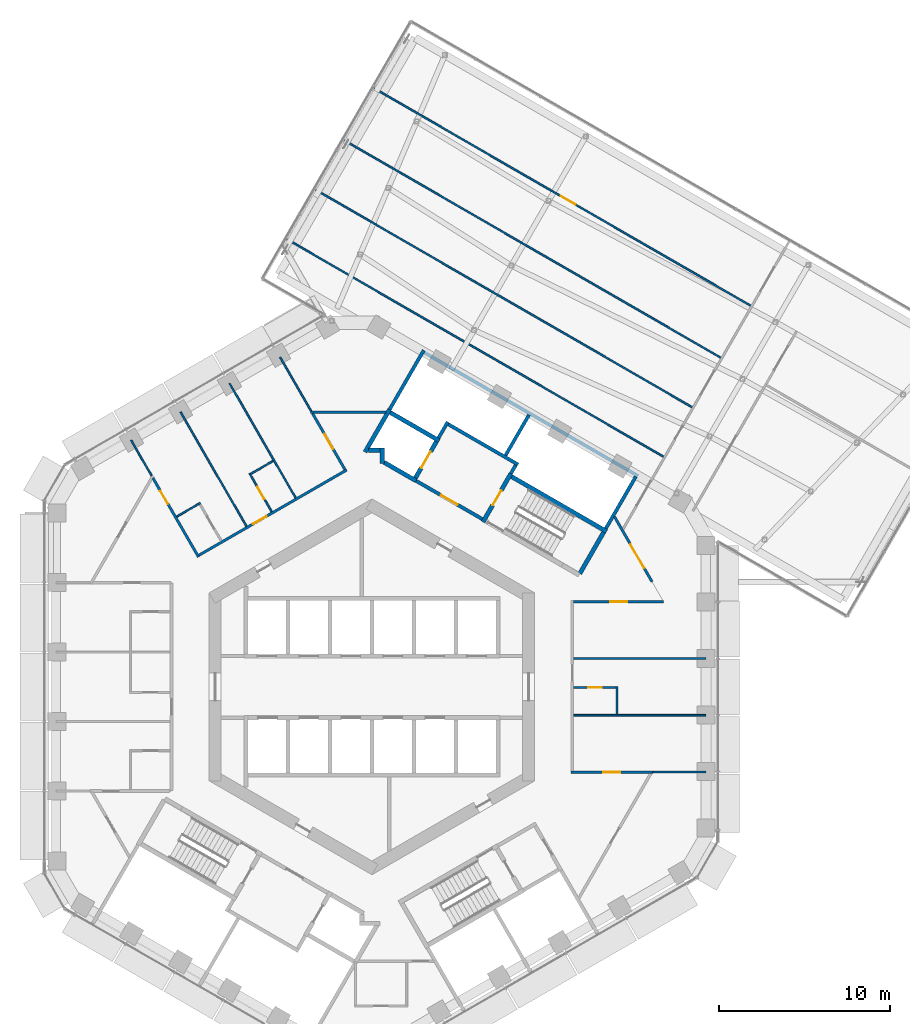
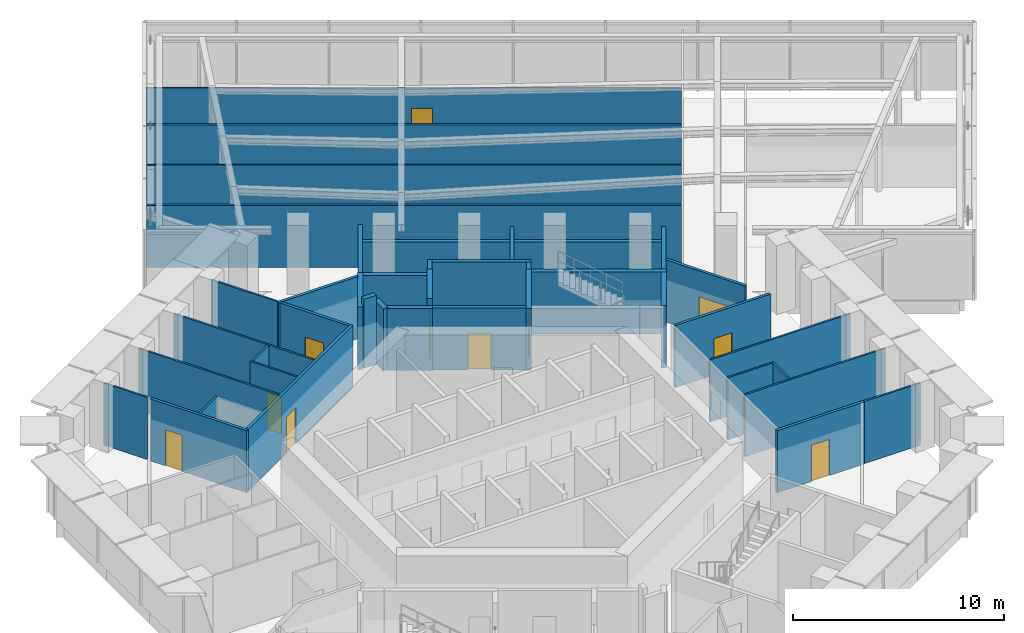
# One storey, part 21 of 28: 40 walls, 12 doors, 12 openings.
"""IFC4 building model written with IfcOpenShell, lengths in metres."""

from ifc_helpers import new_model, si_unit, direction, frame, frame_2d, origin, place, context, subcontext, project, spatial, rectangle, extrude, material, layer, layer_set, type_object, element, fill, save


model = new_model("IFC4")

# Units and contexts
model_context = context("Model", 3, precision=1e-05, world=origin(), true_north=direction((0.0, 1.0)))
body_context = subcontext(model_context, "Body", "Model", "MODEL_VIEW")
ifc_project = project(units=[si_unit("LENGTHUNIT", "METRE"), si_unit("AREAUNIT", "SQUARE_METRE"), si_unit("VOLUMEUNIT", "CUBIC_METRE"), si_unit("PLANEANGLEUNIT", "RADIAN"), si_unit("MASSUNIT", "GRAM", prefix="KILO")], contexts=[model_context])

# Site, building, storey
site_placement = place(None, origin())
site = spatial("IfcSite", under=ifc_project, at=site_placement, CompositionType="ELEMENT")
building_placement = place(site_placement, origin())
building = spatial("IfcBuilding", under=site, at=building_placement, Name="Ayvan Gate Tower", CompositionType="ELEMENT")
storey_placement = place(building_placement, frame((0.0, 0.0, 143.89990234375)))
storey = spatial("IfcBuildingStorey", under=building, at=storey_placement, Name="L38", CompositionType="ELEMENT", Elevation=143.89990234375)

# Wall, opening, door
ifc_material_1 = material(Name="Plasterboard on steel stud", Category="steel")
ifc_layer_1 = layer(ifc_material_1, 0.14990234375)
ifc_layer_set_1 = layer_set([ifc_layer_1], Name="Plasterboard on steel stud")
wall_type_1 = type_object("IfcWallType", Name="WT-CORR-150", PredefinedType="PARTITIONING", material=ifc_layer_set_1)
wall_1_placement = place(storey_placement, frame((-12.77880859375, 12.1826171875, 0.0), z_axis=(0.0, 0.0, 1.0), x_axis=(0.500007419992, -0.866021119808, 0.0)))
wall_1 = element("IfcWall", 1, at=wall_1_placement, inside=storey, type_object=wall_type_1, Name="IW-L38-012", PredefinedType="PARTITIONING", context=body_context, shape_type="SweptSolid", body=[
    extrude(rectangle(XDim=5.31494140625, YDim=0.14990234375, at=frame_2d((2.657470703125, 0.0))), origin(), (0.0, 0.0, 1.0), 3.60009765625),
])
opening_1_placement = place(wall_1_placement, frame((0.85498046875, 0.0, 0.0)))
opening_1 = element("IfcOpeningElement", 2, at=opening_1_placement, cuts=wall_1, Name="Opening L38-D41", PredefinedType="OPENING", context=body_context, shape_type="SweptSolid", body=[
    extrude(rectangle(XDim=0.89990234375, YDim=2.10009765625, at=frame_2d((0.449951171875, 1.050048828125))), frame((0.0, 0.0849609375, 0.0), z_axis=(0.0, -1.0, 0.0), x_axis=(1.0, 0.0, 0.0)), (0.0, 0.0, 1.0), 0.169921875),
])
ifc_material_2 = material(Name="Timber door leaf", Category="wood")
door_type_1 = type_object("IfcDoorType", Name="DT-900", OperationType="NOTDEFINED", PredefinedType="DOOR", material=ifc_material_2)
door_1_placement = place(opening_1_placement, origin())
door_1 = element("IfcDoor", 3, at=door_1_placement, inside=storey, type_object=door_type_1, Name="ID-L38-041", OperationType="SINGLE_SWING_LEFT", OverallHeight=2.10009765625, OverallWidth=0.89990234375, PredefinedType="DOOR", context=body_context, shape_type="SweptSolid", body=[
    extrude(rectangle(XDim=0.89990234375, YDim=2.10009765625, at=frame_2d((0.449951171875, 1.050048828125))), frame((0.0, 0.02490234375, 0.0), z_axis=(0.0, -1.0, 0.0), x_axis=(1.0, 0.0, 0.0)), (0.0, 0.0, 1.0), 0.050048828125),
])
fill(opening_1, door_1)

wall_2_placement = place(storey_placement, frame((-10.093994140625, 7.68212890625, 0.0), z_axis=(0.0, 0.0, 1.0), x_axis=(0.866024204941, 0.500002076452, 0.0)))
wall_2 = element("IfcWall", 4, at=wall_2_placement, inside=storey, type_object=wall_type_1, Name="IW-L38-020", PredefinedType="PARTITIONING", context=body_context, shape_type="SweptSolid", body=[
    extrude(rectangle(XDim=9.951171875, YDim=0.14990234375, at=frame_2d((4.9755859375, 0.0))), origin(), (0.0, 0.0, 1.0), 3.60009765625),
])
opening_2_placement = place(wall_2_placement, frame((3.64208984375, 0.0, 0.0)))
opening_2 = element("IfcOpeningElement", 5, at=opening_2_placement, cuts=wall_2, Name="Opening L38-D39", PredefinedType="OPENING", context=body_context, shape_type="SweptSolid", body=[
    extrude(rectangle(XDim=0.89990234375, YDim=2.10009765625, at=frame_2d((0.449951171875, 1.050048828125))), frame((0.0, 0.0849609375, 0.0), z_axis=(0.0, -1.0, 0.0), x_axis=(1.0, 0.0, 0.0)), (0.0, 0.0, 1.0), 0.169921875),
])
door_2_placement = place(opening_2_placement, origin())
door_2 = element("IfcDoor", 6, at=door_2_placement, inside=storey, type_object=door_type_1, Name="ID-L38-039", OperationType="SINGLE_SWING_LEFT", OverallHeight=2.10009765625, OverallWidth=0.89990234375, PredefinedType="DOOR", context=body_context, shape_type="SweptSolid", body=[
    extrude(rectangle(XDim=0.89990234375, YDim=2.10009765625, at=frame_2d((0.449951171875, 1.050048828125))), frame((0.0, 0.02490234375, 0.0), z_axis=(0.0, -1.0, 0.0), x_axis=(1.0, 0.0, 0.0)), (0.0, 0.0, 1.0), 0.050048828125),
])
fill(opening_2, door_2)

# Wall
wall_3_placement = place(storey_placement, frame((-3.580810546875, 16.023193359375, 0.0), z_axis=(0.0, 0.0, 1.0), x_axis=(1.0, 0.0, 0.0)))
element("IfcWall", 7, at=wall_3_placement, inside=storey, type_object=wall_type_1, Name="IW-L38-046", PredefinedType="PARTITIONING", context=body_context, shape_type="SweptSolid", body=[
    extrude(rectangle(XDim=4.392822265625, YDim=0.14990234375, at=frame_2d((2.1962890625, 0.0))), origin(), (0.0, 0.0, 1.0), 3.60009765625),
])

# Wall, opening, door
wall_4_placement = place(storey_placement, frame((-1.57861328125, 12.685302734375, 0.0), z_axis=(0.0, 0.0, 1.0), x_axis=(-0.500002049001, 0.86602422079, 0.0)))
wall_4 = element("IfcWall", 8, at=wall_4_placement, inside=storey, type_object=wall_type_1, Name="IW-L38-052", PredefinedType="PARTITIONING", context=body_context, shape_type="SweptSolid", body=[
    extrude(rectangle(XDim=3.779296875, YDim=0.14990234375, at=frame_2d((1.8896484375, 0.0))), origin(), (0.0, 0.0, 1.0), 3.60009765625),
])
opening_3_placement = place(wall_4_placement, frame((1.3896484375, 0.0, 0.0)))
opening_3 = element("IfcOpeningElement", 9, at=opening_3_placement, cuts=wall_4, Name="Opening L38-D38", PredefinedType="OPENING", context=body_context, shape_type="SweptSolid", body=[
    extrude(rectangle(XDim=1.0, YDim=2.10009765625, at=frame_2d((0.5, 1.050048828125))), frame((0.0, 0.0849609375, 0.0), z_axis=(0.0, -1.0, 0.0), x_axis=(1.0, 0.0, 0.0)), (0.0, 0.0, 1.0), 0.169921875),
])
door_type_2 = type_object("IfcDoorType", Name="DT-1000", OperationType="NOTDEFINED", PredefinedType="DOOR", material=ifc_material_2)
door_3_placement = place(opening_3_placement, origin())
door_3 = element("IfcDoor", 10, at=door_3_placement, inside=storey, type_object=door_type_2, Name="ID-L38-038", OperationType="SINGLE_SWING_RIGHT", OverallHeight=2.10009765625, OverallWidth=1.0, PredefinedType="DOOR", context=body_context, shape_type="SweptSolid", body=[
    extrude(rectangle(XDim=1.0, YDim=2.10009765625, at=frame_2d((0.5, 1.050048828125))), frame((0.0, 0.02490234375, 0.0), z_axis=(0.0, -1.0, 0.0), x_axis=(1.0, 0.0, 0.0)), (0.0, 0.0, 1.0), 0.050048828125),
])
fill(opening_3, door_3)

wall_5_placement = place(storey_placement, frame((11.625, -4.9755859375, 0.0), z_axis=(0.0, 0.0, 1.0), x_axis=(1.0, 0.0, 0.0)))
wall_5 = element("IfcWall", 11, at=wall_5_placement, inside=storey, type_object=wall_type_1, Name="IW-L38-101", PredefinedType="PARTITIONING", context=body_context, shape_type="SweptSolid", body=[
    extrude(rectangle(XDim=4.772216796875, YDim=0.14990234375, at=frame_2d((2.38623046875, 0.0))), origin(), (0.0, 0.0, 1.0), 3.60009765625),
])
opening_4_placement = place(wall_5_placement, frame((1.868896484375, 0.0, 0.0)))
opening_4 = element("IfcOpeningElement", 12, at=opening_4_placement, cuts=wall_5, Name="Opening L38-D23", PredefinedType="OPENING", context=body_context, shape_type="SweptSolid", body=[
    extrude(rectangle(XDim=1.0, YDim=2.10009765625, at=frame_2d((0.5, 1.050048828125))), frame((0.0, 0.0849609375, 0.0), z_axis=(0.0, -1.0, 0.0), x_axis=(1.0, 0.0, 0.0)), (0.0, 0.0, 1.0), 0.169921875),
])
door_4_placement = place(opening_4_placement, origin())
door_4 = element("IfcDoor", 13, at=door_4_placement, inside=storey, type_object=door_type_2, Name="ID-L38-023", OperationType="SINGLE_SWING_LEFT", OverallHeight=2.10009765625, OverallWidth=1.0, PredefinedType="DOOR", context=body_context, shape_type="SweptSolid", body=[
    extrude(rectangle(XDim=1.0, YDim=2.10009765625, at=frame_2d((0.5, 1.050048828125))), frame((0.0, 0.02490234375, 0.0), z_axis=(0.0, -1.0, 0.0), x_axis=(1.0, 0.0, 0.0)), (0.0, 0.0, 1.0), 0.050048828125),
])
fill(opening_4, door_4)

wall_6_placement = place(storey_placement, frame((14.150634765625, 9.9365234375, 0.0), z_axis=(0.0, 0.0, 1.0), x_axis=(0.500038547485, -0.86600314724, 0.0)))
wall_6 = element("IfcWall", 14, at=wall_6_placement, inside=storey, type_object=wall_type_1, Name="IW-L38-107", PredefinedType="PARTITIONING", context=body_context, shape_type="SweptSolid", body=[
    extrude(rectangle(XDim=4.390380859375, YDim=0.14990234375, at=frame_2d((2.1953125, 0.0))), origin(), (0.0, 0.0, 1.0), 3.60009765625),
])
opening_5_placement = place(wall_6_placement, frame((1.873046875, 0.0, 0.0)))
opening_5 = element("IfcOpeningElement", 15, at=opening_5_placement, cuts=wall_6, Name="Opening L38-D43", PredefinedType="OPENING", context=body_context, shape_type="SweptSolid", body=[
    extrude(rectangle(XDim=1.60009765625, YDim=2.10009765625, at=frame_2d((0.800048828125, 1.050048828125))), frame((0.0, 0.0849609375, 0.0), z_axis=(0.0, -1.0, 0.0), x_axis=(1.0, 0.0, 0.0)), (0.0, 0.0, 1.0), 0.169921875),
])
door_type_3 = type_object("IfcDoorType", Name="DT-1600", OperationType="NOTDEFINED", PredefinedType="DOOR", material=ifc_material_2)
door_5_placement = place(opening_5_placement, origin())
door_5 = element("IfcDoor", 16, at=door_5_placement, inside=storey, type_object=door_type_3, Name="ID-L38-043", OperationType="SINGLE_SWING_LEFT", OverallHeight=2.10009765625, OverallWidth=1.60009765625, PredefinedType="DOOR", context=body_context, shape_type="SweptSolid", body=[
    extrude(rectangle(XDim=1.60009765625, YDim=2.10009765625, at=frame_2d((0.800048828125, 1.050048828125))), frame((0.0, 0.02490234375, 0.0), z_axis=(0.0, -1.0, 0.0), x_axis=(1.0, 0.0, 0.0)), (0.0, 0.0, 1.0), 0.050048828125),
])
fill(opening_5, door_5)

wall_7_placement = place(storey_placement, frame((17.014892578125, 4.9755859375, 0.0), z_axis=(0.0, 0.0, 1.0), x_axis=(-1.0, 0.0, 0.0)))
wall_7 = element("IfcWall", 17, at=wall_7_placement, inside=storey, type_object=wall_type_1, Name="IW-L38-113", PredefinedType="PARTITIONING", context=body_context, shape_type="SweptSolid", body=[
    extrude(rectangle(XDim=5.239990234375, YDim=0.14990234375, at=frame_2d((2.6201171875, 0.0))), origin(), (0.0, 0.0, 1.0), 3.60009765625),
])
opening_6_placement = place(wall_7_placement, frame((2.1201171875, 0.0, 0.0)))
opening_6 = element("IfcOpeningElement", 18, at=opening_6_placement, cuts=wall_7, Name="Opening L38-D26", PredefinedType="OPENING", context=body_context, shape_type="SweptSolid", body=[
    extrude(rectangle(XDim=1.0, YDim=2.10009765625, at=frame_2d((0.5, 1.050048828125))), frame((0.0, 0.0849609375, 0.0), z_axis=(0.0, -1.0, 0.0), x_axis=(1.0, 0.0, 0.0)), (0.0, 0.0, 1.0), 0.169921875),
])
door_6_placement = place(opening_6_placement, origin())
door_6 = element("IfcDoor", 19, at=door_6_placement, inside=storey, type_object=door_type_2, Name="ID-L38-026", OperationType="SINGLE_SWING_RIGHT", OverallHeight=2.10009765625, OverallWidth=1.0, PredefinedType="DOOR", context=body_context, shape_type="SweptSolid", body=[
    extrude(rectangle(XDim=1.0, YDim=2.10009765625, at=frame_2d((0.5, 1.050048828125))), frame((0.0, 0.02490234375, 0.0), z_axis=(0.0, -1.0, 0.0), x_axis=(1.0, 0.0, 0.0)), (0.0, 0.0, 1.0), 0.050048828125),
])
fill(opening_6, door_6)

# Walls
ifc_layer_2 = layer(ifc_material_1, 0.10009765625)
ifc_layer_set_2 = layer_set([ifc_layer_2], Name="Plasterboard on steel stud")
wall_type_2 = type_object("IfcWallType", Name="WT-PART-100", PredefinedType="PARTITIONING", material=ifc_layer_set_2)
wall_8_placement = place(storey_placement, frame((-14.0517578125, 14.38720703125, 0.0), z_axis=(0.0, 0.0, 1.0), x_axis=(0.499975343382, -0.866039638822, 0.0)))
element("IfcWall", 20, at=wall_8_placement, inside=storey, type_object=wall_type_2, Name="IW-L38-010", PredefinedType="PARTITIONING", context=body_context, shape_type="SweptSolid", body=[
    extrude(rectangle(XDim=2.3955078125, YDim=0.10009765625, at=frame_2d((1.19775390625, 0.0))), origin(), (0.0, 0.0, 1.0), 3.60009765625),
])
wall_9_placement = place(storey_placement, frame((-10.01513671875, 10.72998046875, 0.0), z_axis=(0.0, 0.0, 1.0), x_axis=(-0.866017059223, -0.500014452926, 0.0)))
element("IfcWall", 21, at=wall_9_placement, inside=storey, type_object=wall_type_2, Name="IW-L38-021", PredefinedType="PARTITIONING", context=body_context, shape_type="SweptSolid", body=[
    extrude(rectangle(XDim=1.59228515625, YDim=0.10009765625, at=frame_2d((0.796142578125, 0.0))), origin(), (0.0, 0.0, 1.0), 3.60009765625),
])
wall_10_placement = place(storey_placement, frame((-7.32373046875, 9.3681640625, 0.0), z_axis=(0.0, 0.0, 1.0), x_axis=(-0.500021201058, 0.866013163002, 0.0)))
element("IfcWall", 22, at=wall_10_placement, inside=storey, type_object=wall_type_2, Name="IW-L38-033", PredefinedType="PARTITIONING", context=body_context, shape_type="SweptSolid", body=[
    extrude(rectangle(XDim=7.710693359375, YDim=0.10009765625, at=frame_2d((3.85546875, 0.0))), origin(), (0.0, 0.0, 1.0), 3.60009765625),
])

# Wall, opening, door
wall_11_placement = place(storey_placement, frame((-7.13916015625, 12.4482421875, 0.0), z_axis=(0.0, 0.0, 1.0), x_axis=(0.500034319456, -0.866005588531, 0.0)))
wall_11 = element("IfcWall", 23, at=wall_11_placement, inside=storey, type_object=wall_type_2, Name="IW-L38-034", PredefinedType="PARTITIONING", context=body_context, shape_type="SweptSolid", body=[
    extrude(rectangle(XDim=2.574951171875, YDim=0.10009765625, at=frame_2d((1.28759765625, 0.0))), origin(), (0.0, 0.0, 1.0), 3.60009765625),
])
opening_7_placement = place(wall_11_placement, frame((0.91259765625, 0.0, 0.0)))
opening_7 = element("IfcOpeningElement", 24, at=opening_7_placement, cuts=wall_11, Name="Opening L38-D40", PredefinedType="OPENING", context=body_context, shape_type="SweptSolid", body=[
    extrude(rectangle(XDim=0.800048828125, YDim=2.10009765625, at=frame_2d((0.39990234375, 1.050048828125))), frame((0.0, 0.06005859375, 0.0), z_axis=(0.0, -1.0, 0.0), x_axis=(1.0, 0.0, 0.0)), (0.0, 0.0, 1.0), 0.1201171875),
])
door_type_4 = type_object("IfcDoorType", Name="DT-800", OperationType="NOTDEFINED", PredefinedType="DOOR", material=ifc_material_2)
door_7_placement = place(opening_7_placement, origin())
door_7 = element("IfcDoor", 25, at=door_7_placement, inside=storey, type_object=door_type_4, Name="ID-L38-040", OperationType="SINGLE_SWING_RIGHT", OverallHeight=2.10009765625, OverallWidth=0.800048828125, PredefinedType="DOOR", context=body_context, shape_type="SweptSolid", body=[
    extrude(rectangle(XDim=0.800048828125, YDim=2.10009765625, at=frame_2d((0.39990234375, 1.050048828125))), frame((0.0, 0.02490234375, 0.0), z_axis=(0.0, -1.0, 0.0), x_axis=(1.0, 0.0, 0.0)), (0.0, 0.0, 1.0), 0.050048828125),
])
fill(opening_7, door_7)

# Walls
wall_12_placement = place(storey_placement, frame((-5.757080078125, 13.1884765625, 0.0), z_axis=(0.0, 0.0, 1.0), x_axis=(-0.866006015803, -0.500033579465, 0.0)))
element("IfcWall", 26, at=wall_12_placement, inside=storey, type_object=wall_type_2, Name="IW-L38-037", PredefinedType="PARTITIONING", context=body_context, shape_type="SweptSolid", body=[
    extrude(rectangle(XDim=1.51708984375, YDim=0.10009765625, at=frame_2d((0.758544921875, 0.0))), origin(), (0.0, 0.0, 1.0), 3.60009765625),
])
wall_13_placement = place(storey_placement, frame((-5.35888671875, 19.23291015625, 0.0), z_axis=(0.0, 0.0, 1.0), x_axis=(0.499978511878, -0.866037809602, 0.0)))
element("IfcWall", 27, at=wall_13_placement, inside=storey, type_object=wall_type_2, Name="IW-L38-038", PredefinedType="PARTITIONING", context=body_context, shape_type="SweptSolid", body=[
    extrude(rectangle(XDim=3.631591796875, YDim=0.10009765625, at=frame_2d((1.81591796875, 0.0))), origin(), (0.0, 0.0, 1.0), 3.60009765625),
])
wall_14_placement = place(storey_placement, frame((-4.451171875, 11.026611328125, 0.0), z_axis=(0.0, 0.0, 1.0), x_axis=(-0.499983743644, 0.866034789193, 0.0)))
element("IfcWall", 28, at=wall_14_placement, inside=storey, type_object=wall_type_2, Name="IW-L38-043", PredefinedType="PARTITIONING", context=body_context, shape_type="SweptSolid", body=[
    extrude(rectangle(XDim=7.710693359375, YDim=0.10009765625, at=frame_2d((3.85546875, 0.0))), origin(), (0.0, 0.0, 1.0), 3.60009765625),
])
for number, where, z_axis, x_axis, name in (
    (29, (-4.950927734375, 26.116943359375, 0.0), (0.0, 0.0, 1.0), (0.866023342268, -0.500003570635, 0.0), "IW-L38-044"),
    (30, (-3.283203125, 29.00537109375, 0.0), (0.0, 0.0, 1.0), (0.866023342268, -0.500003570635, 0.0), "IW-L38-047"),
    (31, (-1.615478515625, 31.893798828125, 0.0), (0.0, 0.0, 1.0), (0.866023342268, -0.500003570635, 0.0), "IW-L38-053"),
):
    element("IfcWall", number, at=place(storey_placement, frame(where, z_axis=z_axis, x_axis=x_axis)), inside=storey, type_object=wall_type_2, Name=name, PredefinedType="PARTITIONING", context=body_context, shape_type="SweptSolid", body=[
        extrude(rectangle(XDim=25.384521484375, YDim=0.10009765625, at=frame_2d((12.6923828125, 0.0))), origin(), (0.0, 0.0, 1.0), 3.60009765625),
    ])
for number, where, z_axis, x_axis, name in (
    (32, (11.77490234375, -1.658447265625, 0.0), (0.0, 0.0, 1.0), (1.0, 0.0, 0.0), "IW-L38-103"),
    (33, (11.77490234375, 1.658447265625, 0.0), (0.0, 0.0, 1.0), (1.0, 0.0, 0.0), "IW-L38-104"),
):
    element("IfcWall", number, at=place(storey_placement, frame(where, z_axis=z_axis, x_axis=x_axis)), inside=storey, type_object=wall_type_2, Name=name, PredefinedType="PARTITIONING", context=body_context, shape_type="SweptSolid", body=[
        extrude(rectangle(XDim=7.710693359375, YDim=0.10009765625, at=frame_2d((3.85546875, 0.0))), origin(), (0.0, 0.0, 1.0), 3.60009765625),
    ])
wall_15_placement = place(storey_placement, frame((14.300048828125, -1.6083984375, 0.0), z_axis=(0.0, 0.0, 1.0), x_axis=(0.0, 1.0, 0.0)))
element("IfcWall", 34, at=wall_15_placement, inside=storey, type_object=wall_type_2, Name="IW-L38-109", PredefinedType="PARTITIONING", context=body_context, shape_type="SweptSolid", body=[
    extrude(rectangle(XDim=1.616943359375, YDim=0.10009765625, at=frame_2d((0.80859375, 0.0))), origin(), (0.0, 0.0, 1.0), 3.60009765625),
])

# Wall, opening, door
wall_16_placement = place(storey_placement, frame((14.25, -0.04150390625, 0.0), z_axis=(0.0, 0.0, 1.0), x_axis=(-1.0, 0.0, 0.0)))
wall_16 = element("IfcWall", 35, at=wall_16_placement, inside=storey, type_object=wall_type_2, Name="IW-L38-110", PredefinedType="PARTITIONING", context=body_context, shape_type="SweptSolid", body=[
    extrude(rectangle(XDim=2.47509765625, YDim=0.10009765625, at=frame_2d((1.237548828125, 0.0))), origin(), (0.0, 0.0, 1.0), 3.60009765625),
])
opening_8_placement = place(wall_16_placement, frame((0.83740234375, 0.0, 0.0)))
opening_8 = element("IfcOpeningElement", 36, at=opening_8_placement, cuts=wall_16, Name="Opening L38-D25", PredefinedType="OPENING", context=body_context, shape_type="SweptSolid", body=[
    extrude(rectangle(XDim=0.800048828125, YDim=2.10009765625, at=frame_2d((0.39990234375, 1.050048828125))), frame((0.0, 0.06005859375, 0.0), z_axis=(0.0, -1.0, 0.0), x_axis=(1.0, 0.0, 0.0)), (0.0, 0.0, 1.0), 0.1201171875),
])
door_8_placement = place(opening_8_placement, origin())
door_8 = element("IfcDoor", 37, at=door_8_placement, inside=storey, type_object=door_type_4, Name="ID-L38-025", OperationType="SINGLE_SWING_LEFT", OverallHeight=2.10009765625, OverallWidth=0.800048828125, PredefinedType="DOOR", context=body_context, shape_type="SweptSolid", body=[
    extrude(rectangle(XDim=0.800048828125, YDim=2.10009765625, at=frame_2d((0.39990234375, 1.050048828125))), frame((0.0, 0.02490234375, 0.0), z_axis=(0.0, -1.0, 0.0), x_axis=(1.0, 0.0, 0.0)), (0.0, 0.0, 1.0), 0.050048828125),
])
fill(opening_8, door_8)

# Wall
wall_17_placement = place(storey_placement, frame((19.485595703125, -4.9755859375, 0.0), z_axis=(0.0, 0.0, 1.0), x_axis=(-1.0, 0.0, 0.0)))
element("IfcWall", 38, at=wall_17_placement, inside=storey, type_object=wall_type_2, Name="IW-L38-114", PredefinedType="PARTITIONING", context=body_context, shape_type="SweptSolid", body=[
    extrude(rectangle(XDim=3.08837890625, YDim=0.10009765625, at=frame_2d((1.544189453125, 0.0))), origin(), (0.0, 0.0, 1.0), 3.60009765625),
])

# Wall, opening, door
wall_18_placement = place(storey_placement, frame((22.11865234375, 22.2333984375, 0.0), z_axis=(0.0, 0.0, 1.0), x_axis=(-0.866027506852, 0.499996357363, 0.0)))
wall_18 = element("IfcWall", 39, at=wall_18_placement, inside=storey, type_object=wall_type_2, Name="IW-L38-115", PredefinedType="PARTITIONING", context=body_context, shape_type="SweptSolid", body=[
    extrude(rectangle(XDim=25.384521484375, YDim=0.10009765625, at=frame_2d((12.6923828125, 0.0))), origin(), (0.0, 0.0, 1.0), 3.275146484375),
])
opening_9_placement = place(wall_18_placement, frame((11.8193359375, 0.0, 0.0)))
opening_9 = element("IfcOpeningElement", 40, at=opening_9_placement, cuts=wall_18, Name="Opening L38-D48", PredefinedType="OPENING", context=body_context, shape_type="SweptSolid", body=[
    extrude(rectangle(XDim=1.0, YDim=2.10009765625, at=frame_2d((0.5, 1.050048828125))), frame((0.0, 0.06005859375, 0.0), z_axis=(0.0, -1.0, 0.0), x_axis=(1.0, 0.0, 0.0)), (0.0, 0.0, 1.0), 0.1201171875),
])
door_9_placement = place(opening_9_placement, origin())
door_9 = element("IfcDoor", 41, at=door_9_placement, inside=storey, type_object=door_type_2, Name="ID-L38-048", OperationType="SINGLE_SWING_RIGHT", OverallHeight=2.10009765625, OverallWidth=1.0, PredefinedType="DOOR", context=body_context, shape_type="SweptSolid", body=[
    extrude(rectangle(XDim=1.0, YDim=2.10009765625, at=frame_2d((0.5, 1.050048828125))), frame((0.0, 0.02490234375, 0.0), z_axis=(0.0, -1.0, 0.0), x_axis=(1.0, 0.0, 0.0)), (0.0, 0.0, 1.0), 0.050048828125),
])
fill(opening_9, door_9)

# Walls
ifc_layer_3 = layer(ifc_material_1, 0.199951171875)
ifc_layer_set_3 = layer_set([ifc_layer_3], Name="Plasterboard on steel stud")
wall_type_3 = type_object("IfcWallType", Name="WT-PLUMB-200", PredefinedType="PLUMBINGWALL", material=ifc_layer_set_3)
wall_19_placement = place(storey_placement, frame((1.027099609375, 16.178955078125, 0.0), z_axis=(0.0, 0.0, 1.0), x_axis=(0.500006030964, 0.866021921778, 0.0)))
element("IfcWall", 42, at=wall_19_placement, inside=storey, type_object=wall_type_3, Name="IW-L38-067", PredefinedType="PLUMBINGWALL", context=body_context, shape_type="SweptSolid", body=[
    extrude(rectangle(XDim=3.99951171875, YDim=0.199951171875, at=frame_2d((1.999755859375, 0.0))), origin(), (0.0, 0.0, 1.0), 3.60009765625),
])
wall_20_placement = place(storey_placement, frame((3.0634765625, 19.505859375, 0.0), z_axis=(0.0, 0.0, 1.0), x_axis=(0.866025783705, -0.499999341958, 0.0)))
element("IfcWall", 43, at=wall_20_placement, inside=storey, type_object=wall_type_3, Name="IW-L38-077", PredefinedType="PLUMBINGWALL", context=body_context, shape_type="SweptSolid", body=[
    extrude(rectangle(XDim=14.39990234375, YDim=0.199951171875, at=frame_2d((7.199951171875, 0.0))), origin(), (0.0, 0.0, 1.0), 2.72509765625),
])
wall_21_placement = place(storey_placement, frame((3.885009765625, 14.52880859375, 0.0), z_axis=(0.0, 0.0, 1.0), x_axis=(0.499997628298, 0.866026773083, 0.0)))
element("IfcWall", 44, at=wall_21_placement, inside=storey, type_object=wall_type_3, Name="IW-L38-080", PredefinedType="PLUMBINGWALL", context=body_context, shape_type="SweptSolid", body=[
    extrude(rectangle(XDim=1.0751953125, YDim=0.199951171875, at=frame_2d((0.53759765625, 0.0))), origin(), (0.0, 0.0, 1.0), 3.60009765625),
])
wall_22_placement = place(storey_placement, frame((4.458984375, 15.323486328125, 0.0), z_axis=(0.0, 0.0, 1.0), x_axis=(0.866016039709, -0.500016218704, 0.0)))
element("IfcWall", 45, at=wall_22_placement, inside=storey, type_object=wall_type_3, Name="IW-L38-081", PredefinedType="PLUMBINGWALL", context=body_context, shape_type="SweptSolid", body=[
    extrude(rectangle(XDim=4.699951171875, YDim=0.199951171875, at=frame_2d((2.35009765625, 0.0))), origin(), (0.0, 0.0, 1.0), 3.60009765625),
])
wall_23_placement = place(storey_placement, frame((7.800048828125, 13.510009765625, 0.0), z_axis=(0.0, 0.0, 1.0), x_axis=(0.499965519898, 0.866045309965, 0.0)))
element("IfcWall", 46, at=wall_23_placement, inside=storey, type_object=wall_type_3, Name="IW-L38-093", PredefinedType="PLUMBINGWALL", context=body_context, shape_type="SweptSolid", body=[
    extrude(rectangle(XDim=2.724365234375, YDim=0.199951171875, at=frame_2d((1.3623046875, 0.0))), origin(), (0.0, 0.0, 1.0), 3.60009765625),
])
wall_24_placement = place(storey_placement, frame((8.392822265625, 12.936767578125, 0.0), z_axis=(0.0, 0.0, 1.0), x_axis=(-0.500065409566, -0.86598763626, 0.0)))
element("IfcWall", 47, at=wall_24_placement, inside=storey, type_object=wall_type_3, Name="IW-L38-095", PredefinedType="PLUMBINGWALL", context=body_context, shape_type="SweptSolid", body=[
    extrude(rectangle(XDim=0.5751953125, YDim=0.199951171875, at=frame_2d((0.28759765625, 0.0))), origin(), (0.0, 0.0, 1.0), 3.60009765625),
])
wall_25_placement = place(storey_placement, frame((13.64794921875, 9.23876953125, 0.0), z_axis=(0.0, 0.0, 1.0), x_axis=(0.49996604514, 0.866045006744, 0.0)))
element("IfcWall", 48, at=wall_25_placement, inside=storey, type_object=wall_type_3, Name="IW-L38-108", PredefinedType="PLUMBINGWALL", context=body_context, shape_type="SweptSolid", body=[
    extrude(rectangle(XDim=3.499267578125, YDim=0.199951171875, at=frame_2d((1.74951171875, 0.0))), origin(), (0.0, 0.0, 1.0), 3.60009765625),
])

# Wall, opening, door
ifc_layer_4 = layer(ifc_material_1, 0.199951171875)
ifc_layer_set_4 = layer_set([ifc_layer_4], Name="Plasterboard on steel stud")
wall_type_4 = type_object("IfcWallType", Name="WT-RATED-200", PredefinedType="PARTITIONING", material=ifc_layer_set_4)
wall_26_placement = place(storey_placement, frame((6.4345703125, 9.794921875, 0.0), z_axis=(0.0, 0.0, 1.0), x_axis=(-0.866012907634, 0.500021643343, 0.0)))
wall_26 = element("IfcWall", 49, at=wall_26_placement, inside=storey, type_object=wall_type_4, Name="IW-L38-084", PredefinedType="PARTITIONING", context=body_context, shape_type="SweptSolid", body=[
    extrude(rectangle(XDim=4.449951171875, YDim=0.199951171875, at=frame_2d((2.22509765625, 0.0))), origin(), (0.0, 0.0, 1.0), 3.60009765625),
])
opening_10_placement = place(wall_26_placement, frame((1.675048828125, 0.0, 0.0)))
opening_10 = element("IfcOpeningElement", 50, at=opening_10_placement, cuts=wall_26, Name="Opening L38-D14", PredefinedType="OPENING", context=body_context, shape_type="SweptSolid", body=[
    extrude(rectangle(XDim=1.10009765625, YDim=2.10009765625, at=frame_2d((0.550048828125, 1.050048828125))), frame((0.0, 0.10986328125, 0.0), z_axis=(0.0, -1.0, 0.0), x_axis=(1.0, 0.0, 0.0)), (0.0, 0.0, 1.0), 0.219970703125),
])
door_type_5 = type_object("IfcDoorType", Name="DT-1100", OperationType="NOTDEFINED", PredefinedType="DOOR", material=ifc_material_2)
door_10_placement = place(opening_10_placement, origin())
door_10 = element("IfcDoor", 51, at=door_10_placement, inside=storey, type_object=door_type_5, Name="ID-L38-014", OperationType="SINGLE_SWING_RIGHT", OverallHeight=2.10009765625, OverallWidth=1.10009765625, PredefinedType="DOOR", context=body_context, shape_type="SweptSolid", body=[
    extrude(rectangle(XDim=1.10009765625, YDim=2.10009765625, at=frame_2d((0.550048828125, 1.050048828125))), frame((0.0, 0.02490234375, 0.0), z_axis=(0.0, -1.0, 0.0), x_axis=(1.0, 0.0, 0.0)), (0.0, 0.0, 1.0), 0.050048828125),
])
fill(opening_10, door_10)

# Walls
ifc_material_3 = material(Name="Concrete C50/60", Category="concrete")
ifc_layer_5 = layer(ifc_material_3, 0.25)
ifc_layer_set_5 = layer_set([ifc_layer_5], Name="Concrete C50/60")
wall_type_5 = type_object("IfcWallType", Name="WT-RC-250", PredefinedType="SHEAR", material=ifc_layer_set_5)
wall_27_placement = place(storey_placement, frame((-0.403076171875, 13.70166015625, 0.0), z_axis=(0.0, 0.0, 1.0), x_axis=(0.499976111731, 0.866039195244, 0.0)))
element("IfcWall", 52, at=wall_27_placement, inside=storey, type_object=wall_type_5, Name="IW-L38-061", PredefinedType="SHEAR", context=body_context, shape_type="SweptSolid", body=[
    extrude(rectangle(XDim=2.860595703125, YDim=0.25, at=frame_2d((1.43017578125, 0.0))), origin(), (0.0, 0.0, 1.0), 3.60009765625),
])
wall_28_placement = place(storey_placement, frame((0.60009765625, 13.03857421875, 0.0), z_axis=(0.0, 0.0, 1.0), x_axis=(0.0, 1.0, 0.0)))
element("IfcWall", 53, at=wall_28_placement, inside=storey, type_object=wall_type_5, Name="IW-L38-065", PredefinedType="SHEAR", context=body_context, shape_type="SweptSolid", body=[
    extrude(rectangle(XDim=0.896484375, YDim=0.25, at=frame_2d((0.4482421875, 0.0))), origin(), (0.0, 0.0, 1.0), 3.60009765625),
])
wall_29_placement = place(storey_placement, frame((0.47509765625, 13.81005859375, 0.0), z_axis=(0.0, 0.0, 1.0), x_axis=(-1.0, 0.0, 0.0)))
element("IfcWall", 54, at=wall_29_placement, inside=storey, type_object=wall_type_5, Name="IW-L38-066", PredefinedType="SHEAR", context=body_context, shape_type="SweptSolid", body=[
    extrude(rectangle(XDim=0.690673828125, YDim=0.25, at=frame_2d((0.34521484375, 0.0))), origin(), (0.0, 0.0, 1.0), 4.0),
])
wall_30_placement = place(storey_placement, frame((1.072998046875, 16.00830078125, 0.0), z_axis=(0.0, 0.0, 1.0), x_axis=(0.866040211805, -0.499974350878, 0.0)))
element("IfcWall", 55, at=wall_30_placement, inside=storey, type_object=wall_type_5, Name="IW-L38-068", PredefinedType="SHEAR", context=body_context, shape_type="SweptSolid", body=[
    extrude(rectangle(XDim=3.300048828125, YDim=0.25, at=frame_2d((1.64990234375, 0.0))), origin(), (0.0, 0.0, 1.0), 3.60009765625),
])
wall_31_placement = place(storey_placement, frame((2.580810546875, 12.02001953125, 0.0), z_axis=(0.0, 0.0, 1.0), x_axis=(-0.86603892542, 0.499976579108, 0.0)))
element("IfcWall", 56, at=wall_31_placement, inside=storey, type_object=wall_type_5, Name="IW-L38-075", PredefinedType="SHEAR", context=body_context, shape_type="SweptSolid", body=[
    extrude(rectangle(XDim=2.162109375, YDim=0.25, at=frame_2d((1.0810546875, 0.0))), origin(), (0.0, 0.0, 1.0), 3.60009765625),
])

# Wall, opening, door
wall_32_placement = place(storey_placement, frame((2.534912109375, 12.19091796875, 0.0), z_axis=(0.0, 0.0, 1.0), x_axis=(0.500061746146, 0.865989751695, 0.0)))
wall_32 = element("IfcWall", 57, at=wall_32_placement, inside=storey, type_object=wall_type_5, Name="IW-L38-076", PredefinedType="SHEAR", context=body_context, shape_type="SweptSolid", body=[
    extrude(rectangle(XDim=2.449951171875, YDim=0.25, at=frame_2d((1.22509765625, 0.0))), origin(), (0.0, 0.0, 1.0), 4.0),
])
opening_11_placement = place(wall_32_placement, frame((0.675048828125, 0.0, 0.0)))
opening_11 = element("IfcOpeningElement", 58, at=opening_11_placement, cuts=wall_32, Name="Opening L38-LD-FF1", PredefinedType="OPENING", context=body_context, shape_type="SweptSolid", body=[
    extrude(rectangle(XDim=1.10009765625, YDim=2.10009765625, at=frame_2d((0.550048828125, 1.050048828125))), frame((0.0, 0.135009765625, 0.0), z_axis=(0.0, -1.0, 0.0), x_axis=(1.0, 0.0, 0.0)), (0.0, 0.0, 1.0), 0.27001953125),
])
ifc_material_4 = material(Name="Stainless steel landing door", Category="steel")
door_type_6 = type_object("IfcDoorType", Name="DT-LANDING-1100", OperationType="SLIDING_TO_LEFT", PredefinedType="DOOR", material=ifc_material_4)
door_11_placement = place(opening_11_placement, origin())
door_11 = element("IfcDoor", 59, at=door_11_placement, inside=storey, type_object=door_type_6, Name="ID-L38-015", OperationType="SLIDING_TO_LEFT", OverallHeight=2.10009765625, OverallWidth=1.10009765625, PredefinedType="DOOR", context=body_context, shape_type="SweptSolid", body=[
    extrude(rectangle(XDim=1.10009765625, YDim=2.10009765625, at=frame_2d((0.550048828125, 1.050048828125))), frame((0.0, 0.02490234375, 0.0), z_axis=(0.0, -1.0, 0.0), x_axis=(1.0, 0.0, 0.0)), (0.0, 0.0, 1.0), 0.050048828125),
])
fill(opening_11, door_11)

wall_33_placement = place(storey_placement, frame((6.480224609375, 9.624267578125, 0.0), z_axis=(0.0, 0.0, 1.0), x_axis=(0.500017246033, 0.866015446554, 0.0)))
wall_33 = element("IfcWall", 60, at=wall_33_placement, inside=storey, type_object=wall_type_5, Name="IW-L38-085", PredefinedType="SHEAR", context=body_context, shape_type="SweptSolid", body=[
    extrude(rectangle(XDim=3.25, YDim=0.25, at=frame_2d((1.625, 0.0))), origin(), (0.0, 0.0, 1.0), 3.60009765625),
])
opening_12_placement = place(wall_33_placement, frame((1.125, 0.0, 0.0)))
opening_12 = element("IfcOpeningElement", 61, at=opening_12_placement, cuts=wall_33, Name="Opening L38-D13", PredefinedType="OPENING", context=body_context, shape_type="SweptSolid", body=[
    extrude(rectangle(XDim=1.0, YDim=2.10009765625, at=frame_2d((0.5, 1.050048828125))), frame((0.0, 0.135009765625, 0.0), z_axis=(0.0, -1.0, 0.0), x_axis=(1.0, 0.0, 0.0)), (0.0, 0.0, 1.0), 0.27001953125),
])
door_12_placement = place(opening_12_placement, origin())
door_12 = element("IfcDoor", 62, at=door_12_placement, inside=storey, type_object=door_type_2, Name="ID-L38-013", OperationType="SINGLE_SWING_LEFT", OverallHeight=2.10009765625, OverallWidth=1.0, PredefinedType="DOOR", context=body_context, shape_type="SweptSolid", body=[
    extrude(rectangle(XDim=1.0, YDim=2.10009765625, at=frame_2d((0.5, 1.050048828125))), frame((0.0, 0.02490234375, 0.0), z_axis=(0.0, -1.0, 0.0), x_axis=(1.0, 0.0, 0.0)), (0.0, 0.0, 1.0), 0.050048828125),
])
fill(opening_12, door_12)

# Walls
wall_34_placement = place(storey_placement, frame((8.151123046875, 12.26806640625, 0.0), z_axis=(0.0, 0.0, 1.0), x_axis=(0.866025499775, -0.499999833739, 0.0)))
element("IfcWall", 63, at=wall_34_placement, inside=storey, type_object=wall_type_5, Name="IW-L38-094", PredefinedType="SHEAR", context=body_context, shape_type="SweptSolid", body=[
    extrude(rectangle(XDim=6.39990234375, YDim=0.25, at=frame_2d((3.199951171875, 0.0))), origin(), (0.0, 0.0, 1.0), 3.60009765625),
])
wall_35_placement = place(storey_placement, frame((13.52294921875, 9.022216796875, 0.0), z_axis=(0.0, 0.0, 1.0), x_axis=(-0.500013277472, -0.866017737897, 0.0)))
element("IfcWall", 64, at=wall_35_placement, inside=storey, type_object=wall_type_5, Name="IW-L38-106", PredefinedType="SHEAR", context=body_context, shape_type="SweptSolid", body=[
    extrude(rectangle(XDim=2.78564453125, YDim=0.25, at=frame_2d((1.392822265625, 0.0))), origin(), (0.0, 0.0, 1.0), 3.60009765625),
])

save(model, "model.ifc")
